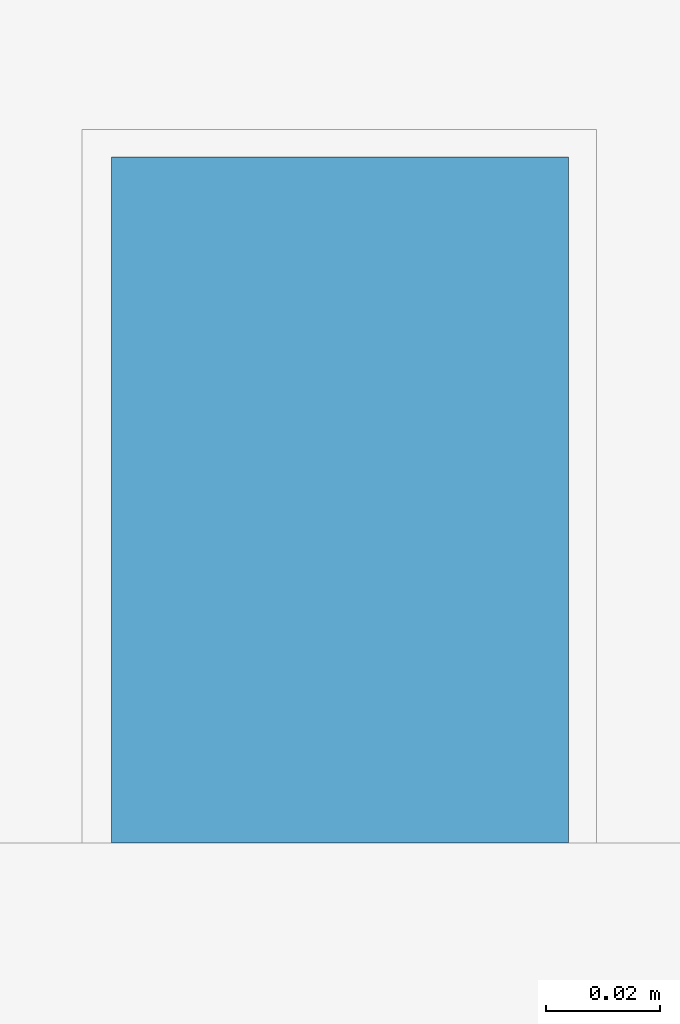
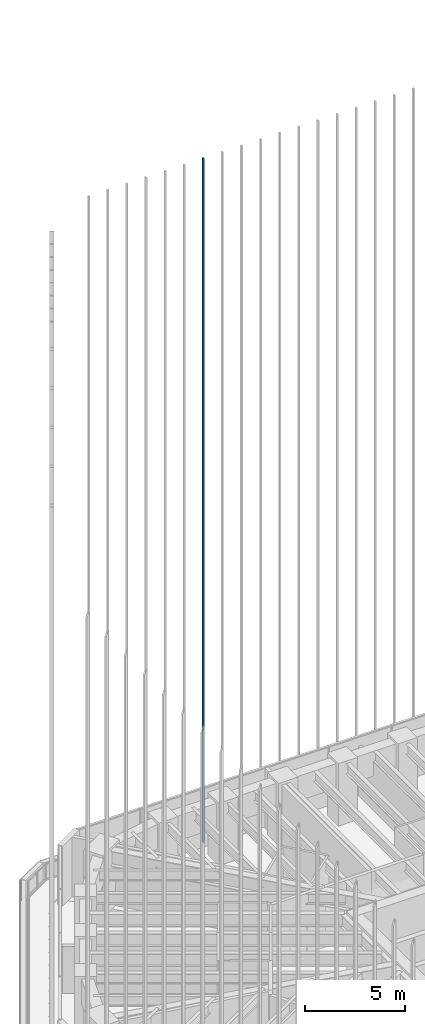
# One storey, part 74 of 127: 1 member, 1 element without a shape of its own.
"""IFC4 building model written with IfcOpenShell, lengths in metres."""

import ifcopenshell
import ifcopenshell.guid

model = None  # the IFC model being written
_history = None  # IfcOwnerHistory: only IFC2X3 demands one
_inside = {}  # id of a spatial element -> (the spatial element, [elements in it])
_under = {}  # id of a project, library or spatial element -> (it, [spatial elements below it])
_declared = {}  # id of a project -> (the project, [libraries it declares])
_typed = {}  # id of a type object -> (the type object, [elements of that type])
_made_of = {}  # id of a material, layer set ... -> (it, [elements and type objects made of it])


def new_model(schema):
    """Start an empty IFC model of exactly this schema.

    Asked for "IFC4X3", IfcOpenShell would pick the latest addendum, in which some entities
    have other attributes; the version numbers below select the first issue.
    IFC2X3 requires an IfcOwnerHistory on every rooted entity: one is made here for all.
    """
    global model, _history
    if schema == "IFC4X3":
        model = ifcopenshell.file(schema_version=(4, 3, 0, 0))
    else:
        model = ifcopenshell.file(schema=schema)
    _inside.clear()
    _under.clear()
    _declared.clear()
    _typed.clear()
    _made_of.clear()
    _history = None
    if model.schema == "IFC2X3":
        org = make("IfcOrganization", Name="unknown")
        user = make(
            "IfcPersonAndOrganization",
            ThePerson=make("IfcPerson", FamilyName="unknown"),
            TheOrganization=org,
        )
        app = make(
            "IfcApplication",
            ApplicationDeveloper=org,
            Version="unknown",
            ApplicationFullName="unknown",
            ApplicationIdentifier="unknown",
        )
        _history = make(
            "IfcOwnerHistory",
            OwningUser=user,
            OwningApplication=app,
            ChangeAction="ADDED",
            CreationDate=0,
        )
    return model


def make(cls, **values):
    """One entity of the class cls with the attributes given. An attribute that is None is left unset."""
    return model.create_entity(
        cls, **{name: value for name, value in values.items() if value is not None}
    )


def rooted(cls, **values):
    """An entity with a GlobalId (a new one), such as an element, a storey or a relation."""
    return make(cls, GlobalId=ifcopenshell.guid.new(), OwnerHistory=_history, **values)


def si_unit(unit_type, name, prefix=None):
    """IfcSIUnit, for example si_unit("LENGTHUNIT", "METRE", prefix="MILLI")."""
    return make("IfcSIUnit", UnitType=unit_type, Prefix=prefix, Name=name)


def assignment(units):
    """IfcUnitAssignment: the units of a project."""
    return None if units is None else make("IfcUnitAssignment", Units=units)


def point(xyz):
    """IfcCartesianPoint."""
    return None if xyz is None else make("IfcCartesianPoint", Coordinates=xyz)


def direction(xyz):
    """IfcDirection."""
    return None if xyz is None else make("IfcDirection", DirectionRatios=xyz)


def frame(location, z_axis=None, x_axis=None):
    """IfcAxis2Placement3D, a coordinate frame: its origin and axes. An axis left out is left unset."""
    return make(
        "IfcAxis2Placement3D",
        Location=point(location),
        Axis=direction(z_axis),
        RefDirection=direction(x_axis),
    )


def frame_2d(location, x_axis=None):
    """IfcAxis2Placement2D, a coordinate frame in the plane: its origin and x axis."""
    return make(
        "IfcAxis2Placement2D", Location=point(location), RefDirection=direction(x_axis)
    )


def origin():
    """The frame at (0, 0, 0) with its axes left unset."""
    return frame((0.0, 0.0, 0.0))


def origin_2d():
    """The frame at (0, 0) in the plane with its x axis left unset."""
    return frame_2d((0.0, 0.0))


def place(relative_to, where):
    """IfcLocalPlacement: puts the frame where relative to a parent placement (None: the world)."""
    return make(
        "IfcLocalPlacement", PlacementRelTo=relative_to, RelativePlacement=where
    )


def context(
    kind, dimensions, precision=None, world=None, true_north=None, identifier=None
):
    """IfcGeometricRepresentationContext, for example the 3D "Model" context."""
    return make(
        "IfcGeometricRepresentationContext",
        ContextIdentifier=identifier,
        ContextType=kind,
        CoordinateSpaceDimension=dimensions,
        Precision=precision,
        WorldCoordinateSystem=world,
        TrueNorth=true_north,
    )


def subcontext(parent, identifier, kind, view, scale=None):
    """IfcGeometricRepresentationSubContext, for example "Body" below "Model"."""
    return make(
        "IfcGeometricRepresentationSubContext",
        ContextIdentifier=identifier,
        ContextType=kind,
        ParentContext=parent,
        TargetScale=scale,
        TargetView=view,
    )


def project(units=None, contexts=None):
    """IfcProject with its units and contexts."""
    return rooted(
        "IfcProject",
        Name="project",
        RepresentationContexts=contexts,
        UnitsInContext=assignment(units),
    )


def spatial(cls, under=None, at=None, **own):
    """A site, building, storey or space (cls), placed at a placement, below another one or the project."""
    s = rooted(cls, ObjectPlacement=at, **own)
    if under is not None:
        _under.setdefault(under.id(), (under, []))[1].append(s)
    return s


def profile(cls, at=None, kind="AREA", **sizes):
    """A parametric profile (cls). Its sizes go by their IFC names, for example OverallWidth=200.0."""
    return make(cls, ProfileType=kind, Position=at, **sizes)


def rectangle(**sizes):
    """IfcRectangleProfileDef."""
    return profile("IfcRectangleProfileDef", **sizes)


def extrude(swept, where, along, depth):
    """IfcExtrudedAreaSolid: the profile swept, set in the frame where, extruded along a direction by depth."""
    return make(
        "IfcExtrudedAreaSolid",
        SweptArea=swept,
        Position=where,
        ExtrudedDirection=direction(along),
        Depth=depth,
    )


def shape(context_of_items, identifier, shape_type, items):
    """IfcShapeRepresentation: the items that make up one representation, for example the "Body"."""
    return make(
        "IfcShapeRepresentation",
        ContextOfItems=context_of_items,
        RepresentationIdentifier=identifier,
        RepresentationType=shape_type,
        Items=items,
    )


def material(Name=None, Category=None):
    """IfcMaterial."""
    return make("IfcMaterial", Name=Name, Category=Category)


def material_profile(
    of_material, cross_section, Name=None, Category=None, Priority=None
):
    """IfcMaterialProfile: a cross section and its material."""
    return make(
        "IfcMaterialProfile",
        Name=Name,
        Material=of_material,
        Profile=cross_section,
        Priority=Priority,
        Category=Category,
    )


def profile_set(profiles, Name=None, composite=None):
    """IfcMaterialProfileSet."""
    return make(
        "IfcMaterialProfileSet",
        Name=Name,
        MaterialProfiles=profiles,
        CompositeProfile=composite,
    )


def made_of(thing, what):
    """Note that an element or type object is made of a material, layer set ...; save() writes the relation."""
    if what is not None:
        _made_of.setdefault(what.id(), (what, []))[1].append(thing)
    return thing


def type_object(cls, material=None, **own):
    """A type object (cls), such as IfcWallType, which elements share."""
    return made_of(rooted(cls, **own), material)


def element(
    cls,
    number,
    at=None,
    inside=None,
    cuts=None,
    type_object=None,
    material=None,
    context=None,
    identifier="Body",
    shape_type=None,
    held_by="IfcProductDefinitionShape",
    body=None,
    shapes=None,
    **own,
):
    """One element of the class cls, such as IfcWall. Its Tag is "e" and its number.

    at: its placement. inside: the storey or other place that contains it. cuts: it is an
    opening in that element (IfcRelVoidsElement). A single representation is given by context,
    identifier, shape_type and body (its items); several are given by shapes. held_by: the class
    of the entity that holds the representations. save() writes the other relations.
    """
    e = rooted(cls, Tag="e%d" % number, ObjectPlacement=at, **own)
    if body is not None:
        shapes = [shape(context, identifier, shape_type, body)]
    if shapes is not None:
        e.Representation = make(held_by, Representations=shapes)
    if inside is not None:
        _inside.setdefault(inside.id(), (inside, []))[1].append(e)
    if cuts is not None:
        rooted(
            "IfcRelVoidsElement", RelatingBuildingElement=cuts, RelatedOpeningElement=e
        )
    if type_object is not None:
        _typed.setdefault(type_object.id(), (type_object, []))[1].append(e)
    return made_of(e, material)


def aggregate(whole, parts):
    """IfcRelAggregates: a whole, such as a stair, and the parts it consists of."""
    return rooted("IfcRelAggregates", RelatingObject=whole, RelatedObjects=parts)


def save(model, path):
    """Write the relations noted so far, then the file.

    IfcRelAggregates (storeys below a building ...), IfcRelContainedInSpatialStructure (elements
    in a storey), IfcRelDefinesByType, IfcRelAssociatesMaterial and IfcRelDeclares: one each for
    every whole, place, type object, material and project.
    """
    for whole, parts in _under.values():
        aggregate(whole, parts)
    for where, things in _inside.values():
        rooted(
            "IfcRelContainedInSpatialStructure",
            RelatedElements=things,
            RelatingStructure=where,
        )
    for kind, things in _typed.values():
        rooted("IfcRelDefinesByType", RelatedObjects=things, RelatingType=kind)
    for what, things in _made_of.values():
        rooted("IfcRelAssociatesMaterial", RelatedObjects=things, RelatingMaterial=what)
    for by, libraries in _declared.values():
        rooted("IfcRelDeclares", RelatingContext=by, RelatedDefinitions=libraries)
    model.write(path)


model = new_model("IFC4")

# Units and contexts
model_context = context("Model", 3, precision=1e-05, world=origin(), true_north=direction((0.0, 1.0)))
body_context = subcontext(model_context, "Body", "Model", "MODEL_VIEW")
ifc_project = project(units=[si_unit("LENGTHUNIT", "METRE"), si_unit("AREAUNIT", "SQUARE_METRE"), si_unit("VOLUMEUNIT", "CUBIC_METRE"), si_unit("PLANEANGLEUNIT", "RADIAN"), si_unit("MASSUNIT", "GRAM", prefix="KILO")], contexts=[model_context])

# Site, building, storey
site_placement = place(None, origin())
site = spatial("IfcSite", under=ifc_project, at=site_placement, CompositionType="ELEMENT")
building_placement = place(site_placement, origin())
building = spatial("IfcBuilding", under=site, at=building_placement, Name="Sandreach Pilgrim Tower", CompositionType="ELEMENT")
storey_placement = place(building_placement, frame((0.0, 0.0, 257.0)))
storey = spatial("IfcBuildingStorey", under=building, at=storey_placement, Name="L64", CompositionType="ELEMENT", Elevation=257.0)

# Curtain wall, member
ifc_material_1 = material(Name="Aluminium framed curtain wall", Category="aluminium")
curtain_wall_type = type_object("IfcCurtainWallType", Name="Suite tower curtain wall", PredefinedType="NOTDEFINED", material=ifc_material_1)
curtain_wall_placement = place(storey_placement, origin())
curtain_wall = element("IfcCurtainWall", 1, at=curtain_wall_placement, inside=storey, type_object=curtain_wall_type, Name="CW-4 L64 N", PredefinedType="NOTDEFINED")
ifc_material_2 = material(Name="Extruded terracotta on aluminium core", Category="masonry")
ifc_material_profile = material_profile(ifc_material_2, rectangle(XDim=0.080078125, YDim=0.1201171875, at=origin_2d()), Name="TBN 80X120")
ifc_profile_set = profile_set([ifc_material_profile], Name="Extruded terracotta on aluminium core")
member_type = type_object("IfcMemberType", Name="Terracotta baguette north", PredefinedType="USERDEFINED", material=ifc_profile_set)
member_placement = place(storey_placement, frame((-8.80322265625, 20.1865234375, 0.0), z_axis=(0.0, 0.0, 1.0), x_axis=(1.0, 0.0, 0.0)))
member = element("IfcMember", 2, at=member_placement, type_object=member_type, Name="Baguette Z4 N07", ObjectType="BAGUETTE", PredefinedType="USERDEFINED", context=body_context, shape_type="SweptSolid", body=[
    extrude(rectangle(XDim=0.080078125, YDim=0.1201171875, at=origin_2d()), origin(), (0.0, 0.0, 1.0), 41.639892578125),
])
aggregate(curtain_wall, [member])

save(model, "model.ifc")
